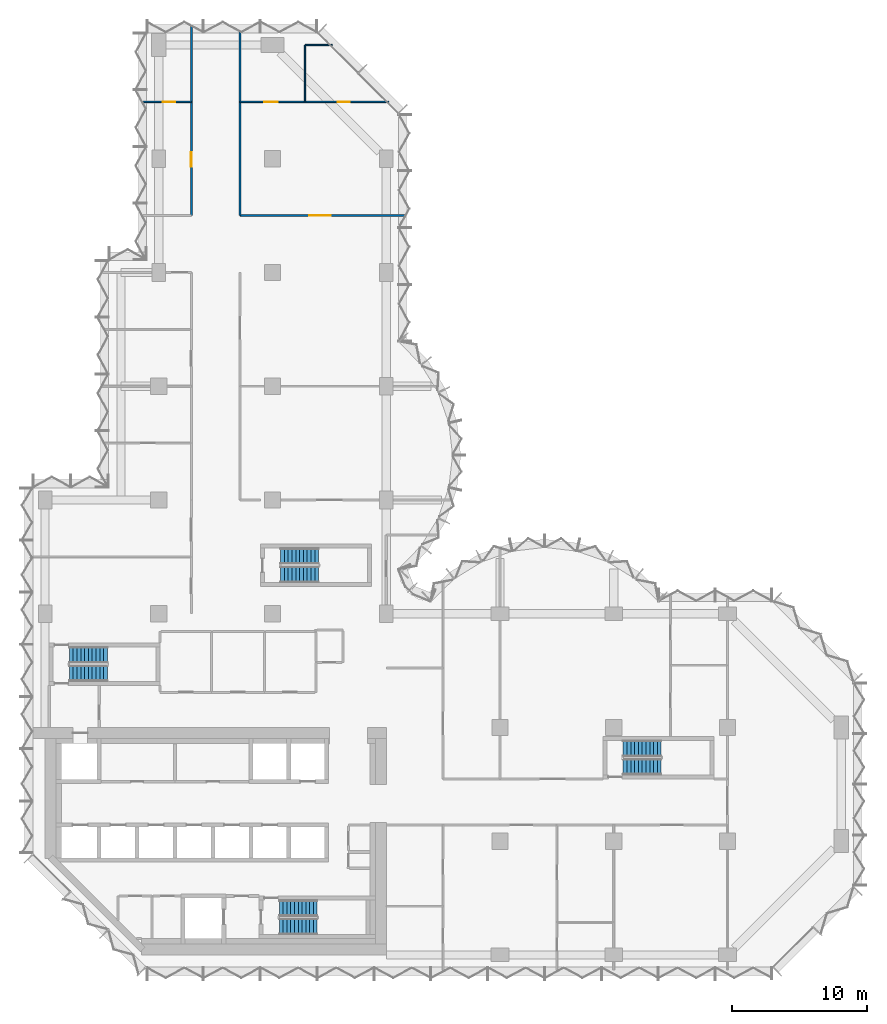
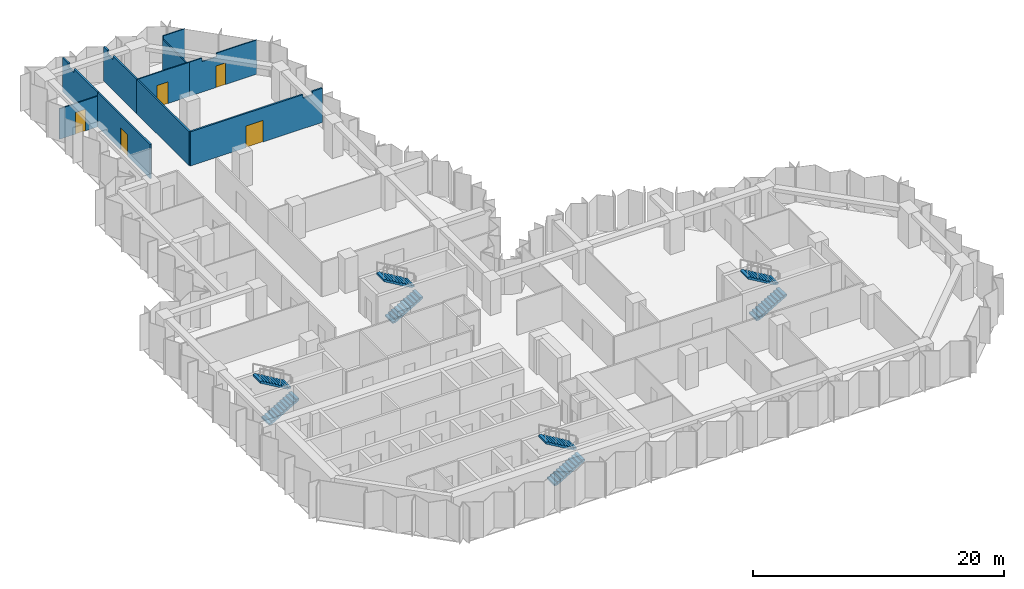
# One storey, part 9 of 11: 10 walls, 8 stair flights, 5 doors, 5 openings, 4 elements without a shape of their own.
"""IFC4 building model written with IfcOpenShell, lengths in metres."""

from ifc_helpers import new_model, si_unit, direction, frame, frame_2d, origin, place, context, subcontext, project, spatial, polyline, rectangle, outline, extrude, material, layer, layer_set, type_object, element, fill, aggregate, save


model = new_model("IFC4")

# Units and contexts
model_context = context("Model", 3, precision=1e-05, world=origin(), true_north=direction((0.0, 1.0)))
body_context = subcontext(model_context, "Body", "Model", "MODEL_VIEW")
ifc_project = project(units=[si_unit("LENGTHUNIT", "METRE"), si_unit("AREAUNIT", "SQUARE_METRE"), si_unit("VOLUMEUNIT", "CUBIC_METRE"), si_unit("PLANEANGLEUNIT", "RADIAN"), si_unit("MASSUNIT", "GRAM", prefix="KILO")], contexts=[model_context])

# Site, building, storey
site_placement = place(None, origin())
site = spatial("IfcSite", under=ifc_project, at=site_placement, CompositionType="ELEMENT")
building_placement = place(site_placement, origin())
building = spatial("IfcBuilding", under=site, at=building_placement, Name="Brevane Broadcast Tower", CompositionType="ELEMENT")
storey_placement = place(building_placement, frame((0.0, 0.0, 142.10009765625)))
storey = spatial("IfcBuildingStorey", under=building, at=storey_placement, Name="L35", CompositionType="ELEMENT", Elevation=142.10009765625)

# Wall, opening, door
ifc_material_1 = material(Name="Gypsum board partition")
ifc_layer_1 = layer(ifc_material_1, 0.10009765625)
ifc_layer_set_1 = layer_set([ifc_layer_1], Name="PARTITION 100 STUD")
wall_type_1 = type_object("IfcWallType", Name="PARTITION 100 STUD", PredefinedType="PARTITIONING", material=ifc_layer_set_1)
wall_1_placement = place(storey_placement, frame((7.22607421875, 63.0, 0.0), z_axis=(0.0, 0.0, 1.0), x_axis=(1.0, 0.0, 0.0)))
wall_1 = element("IfcWall", 1, at=wall_1_placement, inside=storey, type_object=wall_type_1, Name="Partition G10-060", PredefinedType="PARTITIONING", context=body_context, shape_type="SweptSolid", body=[
    extrude(rectangle(XDim=3.573974609375, YDim=0.10009765625, at=frame_2d((1.787109375, 0.0))), origin(), (0.0, 0.0, 1.0), 2.97998046875),
])
opening_1_placement = place(wall_1_placement, frame((1.47412109375, 0.0, 0.0)))
opening_1 = element("IfcOpeningElement", 2, at=opening_1_placement, cuts=wall_1, Name="Opening D17-019", PredefinedType="OPENING", context=body_context, shape_type="SweptSolid", body=[
    extrude(rectangle(XDim=0.89990234375, YDim=2.10009765625, at=frame_2d((0.449951171875, 1.050048828125))), frame((0.0, 0.06005859375, 0.0), z_axis=(0.0, -1.0, 0.0), x_axis=(1.0, 0.0, 0.0)), (0.0, 0.0, 1.0), 0.1201171875),
])
ifc_material_2 = material(Name="Timber door leaf", Category="wood")
door_type_1 = type_object("IfcDoorType", Name="DOOR SINGLE 900 INTERNAL", OperationType="SINGLE_SWING_LEFT", PredefinedType="DOOR", material=ifc_material_2)
door_1_placement = place(opening_1_placement, origin())
door_1 = element("IfcDoor", 3, at=door_1_placement, inside=storey, type_object=door_type_1, Name="Door D17-019", OperationType="SINGLE_SWING_LEFT", OverallHeight=2.10009765625, OverallWidth=0.89990234375, PredefinedType="DOOR", context=body_context, shape_type="SweptSolid", body=[
    extrude(rectangle(XDim=0.89990234375, YDim=2.10009765625, at=frame_2d((0.449951171875, 1.050048828125))), frame((0.0, 0.02490234375, 0.0), z_axis=(0.0, -1.0, 0.0), x_axis=(1.0, 0.0, 0.0)), (0.0, 0.0, 1.0), 0.050048828125),
])
fill(opening_1, door_1)

wall_2_placement = place(storey_placement, frame((14.39990234375, 63.0, 0.0), z_axis=(0.0, 0.0, 1.0), x_axis=(1.0, 0.0, 0.0)))
wall_2 = element("IfcWall", 4, at=wall_2_placement, inside=storey, type_object=wall_type_1, Name="Partition G10-065", PredefinedType="PARTITIONING", context=body_context, shape_type="SweptSolid", body=[
    extrude(rectangle(XDim=4.800048828125, YDim=0.10009765625, at=frame_2d((2.39990234375, 0.0))), origin(), (0.0, 0.0, 1.0), 3.329833984375),
])
opening_2_placement = place(wall_2_placement, frame((1.800048828125, 0.0, 0.0)))
opening_2 = element("IfcOpeningElement", 5, at=opening_2_placement, cuts=wall_2, Name="Opening D17-023", PredefinedType="OPENING", context=body_context, shape_type="SweptSolid", body=[
    extrude(rectangle(XDim=1.0, YDim=2.10009765625, at=frame_2d((0.5, 1.050048828125))), frame((0.0, 0.06005859375, 0.0), z_axis=(0.0, -1.0, 0.0), x_axis=(1.0, 0.0, 0.0)), (0.0, 0.0, 1.0), 0.1201171875),
])
door_type_2 = type_object("IfcDoorType", Name="DOOR SINGLE 1000 INTERNAL", OperationType="SINGLE_SWING_LEFT", PredefinedType="DOOR", material=ifc_material_2)
door_2_placement = place(opening_2_placement, origin())
door_2 = element("IfcDoor", 6, at=door_2_placement, inside=storey, type_object=door_type_2, Name="Door D17-023", OperationType="SINGLE_SWING_LEFT", OverallHeight=2.10009765625, OverallWidth=1.0, PredefinedType="DOOR", context=body_context, shape_type="SweptSolid", body=[
    extrude(rectangle(XDim=1.0, YDim=2.10009765625, at=frame_2d((0.5, 1.050048828125))), frame((0.0, 0.02490234375, 0.0), z_axis=(0.0, -1.0, 0.0), x_axis=(1.0, 0.0, 0.0)), (0.0, 0.0, 1.0), 0.050048828125),
])
fill(opening_2, door_2)

wall_3_placement = place(storey_placement, frame((19.199951171875, 63.0, 0.0), z_axis=(0.0, 0.0, 1.0), x_axis=(1.0, 0.0, 0.0)))
wall_3 = element("IfcWall", 7, at=wall_3_placement, inside=storey, type_object=wall_type_1, Name="Partition G10-066", PredefinedType="PARTITIONING", context=body_context, shape_type="SweptSolid", body=[
    extrude(outline(polyline([(0.0, 0.0), (6.199951171875, 0.0), (6.199951171875, 3.329833984375), (2.465576171875, 3.329833984375), (2.463623046875, 2.97998046875), (1.13623046875, 2.97998046875), (1.13427734375, 3.329833984375), (0.0, 3.329833984375), (0.0, 0.0)])), frame((0.0, 0.050048828125, 0.0), z_axis=(0.0, -1.0, 0.0), x_axis=(1.0, 0.0, 0.0)), (0.0, 0.0, 1.0), 0.10009765625),
])
opening_3_placement = place(wall_3_placement, frame((2.39990234375, 0.0, 0.0)))
opening_3 = element("IfcOpeningElement", 8, at=opening_3_placement, cuts=wall_3, Name="Opening D17-024", PredefinedType="OPENING", context=body_context, shape_type="SweptSolid", body=[
    extrude(rectangle(XDim=0.89990234375, YDim=2.10009765625, at=frame_2d((0.449951171875, 1.050048828125))), frame((0.0, 0.06005859375, 0.0), z_axis=(0.0, -1.0, 0.0), x_axis=(1.0, 0.0, 0.0)), (0.0, 0.0, 1.0), 0.1201171875),
])
door_3_placement = place(opening_3_placement, origin())
door_3 = element("IfcDoor", 9, at=door_3_placement, inside=storey, type_object=door_type_1, Name="Door D17-024", OperationType="SINGLE_SWING_LEFT", OverallHeight=2.10009765625, OverallWidth=0.89990234375, PredefinedType="DOOR", context=body_context, shape_type="SweptSolid", body=[
    extrude(rectangle(XDim=0.89990234375, YDim=2.10009765625, at=frame_2d((0.449951171875, 1.050048828125))), frame((0.0, 0.02490234375, 0.0), z_axis=(0.0, -1.0, 0.0), x_axis=(1.0, 0.0, 0.0)), (0.0, 0.0, 1.0), 0.050048828125),
])
fill(opening_3, door_3)

# Walls
wall_4_placement = place(storey_placement, frame((21.199951171875, 67.199951171875, 0.0), z_axis=(0.0, 0.0, 1.0), x_axis=(-1.0, 0.0, 0.0)))
element("IfcWall", 10, at=wall_4_placement, inside=storey, type_object=wall_type_1, Name="Partition G10-067", PredefinedType="PARTITIONING", context=body_context, shape_type="SweptSolid", body=[
    extrude(rectangle(XDim=2.0, YDim=0.10009765625, at=frame_2d((1.0, 0.0))), origin(), (0.0, 0.0, 1.0), 3.329833984375),
])
wall_5_placement = place(storey_placement, frame((19.199951171875, 67.199951171875, 0.0), z_axis=(0.0, 0.0, 1.0), x_axis=(0.0, -1.0, 0.0)))
element("IfcWall", 11, at=wall_5_placement, inside=storey, type_object=wall_type_1, Name="Partition G10-068", PredefinedType="PARTITIONING", context=body_context, shape_type="SweptSolid", body=[
    extrude(rectangle(XDim=4.199951171875, YDim=0.10009765625, at=frame_2d((2.10009765625, 0.0))), origin(), (0.0, 0.0, 1.0), 2.97998046875),
])

# Wall, opening, door
ifc_layer_2 = layer(ifc_material_1, 0.14990234375)
ifc_layer_set_2 = layer_set([ifc_layer_2], Name="PARTITION 150 EI 60")
wall_type_2 = type_object("IfcWallType", Name="PARTITION 150 EI 60", PredefinedType="PARTITIONING", material=ifc_layer_set_2)
wall_6_placement = place(storey_placement, frame((10.800048828125, 54.60009765625, 0.0), z_axis=(0.0, 0.0, 1.0), x_axis=(0.0, 1.0, 0.0)))
wall_6 = element("IfcWall", 12, at=wall_6_placement, inside=storey, type_object=wall_type_2, Name="Partition G10-046", PredefinedType="PARTITIONING", context=body_context, shape_type="SweptSolid", body=[
    extrude(rectangle(XDim=8.39990234375, YDim=0.14990234375, at=frame_2d((4.199951171875, 0.0))), origin(), (0.0, 0.0, 1.0), 3.329833984375),
])
opening_4_placement = place(wall_6_placement, frame((3.60009765625, 0.0, 0.0)))
opening_4 = element("IfcOpeningElement", 13, at=opening_4_placement, cuts=wall_6, Name="Opening D17-018", PredefinedType="OPENING", context=body_context, shape_type="SweptSolid", body=[
    extrude(rectangle(XDim=1.10009765625, YDim=2.10009765625, at=frame_2d((0.550048828125, 1.050048828125))), frame((0.0, 0.0849609375, 0.0), z_axis=(0.0, -1.0, 0.0), x_axis=(1.0, 0.0, 0.0)), (0.0, 0.0, 1.0), 0.169921875),
])
ifc_material_3 = material(Name="Fire-rated timber door leaf", Category="wood")
door_type_3 = type_object("IfcDoorType", Name="DOOR SINGLE 1100 FD30S", OperationType="SINGLE_SWING_LEFT", PredefinedType="DOOR", material=ifc_material_3)
door_4_placement = place(opening_4_placement, origin())
door_4 = element("IfcDoor", 14, at=door_4_placement, inside=storey, type_object=door_type_3, Name="Door D17-018", OperationType="SINGLE_SWING_LEFT", OverallHeight=2.10009765625, OverallWidth=1.10009765625, PredefinedType="DOOR", context=body_context, shape_type="SweptSolid", body=[
    extrude(rectangle(XDim=1.10009765625, YDim=2.10009765625, at=frame_2d((0.550048828125, 1.050048828125))), frame((0.0, 0.02490234375, 0.0), z_axis=(0.0, -1.0, 0.0), x_axis=(1.0, 0.0, 0.0)), (0.0, 0.0, 1.0), 0.050048828125),
])
fill(opening_4, door_4)

# Walls
wall_7_placement = place(storey_placement, frame((10.800048828125, 63.0, 0.0), z_axis=(0.0, 0.0, 1.0), x_axis=(0.0, 1.0, 0.0)))
element("IfcWall", 15, at=wall_7_placement, inside=storey, type_object=wall_type_2, Name="Partition G10-047", PredefinedType="PARTITIONING", context=body_context, shape_type="SweptSolid", body=[
    extrude(outline(polyline([(0.0, 0.0), (5.56494140625, 0.0), (5.56494140625, 3.329833984375), (5.280029296875, 3.329833984375), (4.64990234375, 3.329833984375), (4.64794921875, 2.97998046875), (3.751953125, 2.97998046875), (3.75, 3.329833984375), (0.0, 3.329833984375), (0.0, 0.0)])), frame((0.0, 0.074951171875, 0.0), z_axis=(0.0, -1.0, 0.0), x_axis=(1.0, 0.0, 0.0)), (0.0, 0.0, 1.0), 0.14990234375),
])
wall_8_placement = place(storey_placement, frame((14.39990234375, 63.0, 0.0), z_axis=(0.0, 0.0, 1.0), x_axis=(0.0, -1.0, 0.0)))
element("IfcWall", 16, at=wall_8_placement, inside=storey, type_object=wall_type_2, Name="Partition G10-050", PredefinedType="PARTITIONING", context=body_context, shape_type="SweptSolid", body=[
    extrude(rectangle(XDim=8.39990234375, YDim=0.14990234375, at=frame_2d((4.199951171875, 0.0))), origin(), (0.0, 0.0, 1.0), 3.329833984375),
])
wall_9_placement = place(storey_placement, frame((14.39990234375, 68.280029296875, 0.0), z_axis=(0.0, 0.0, 1.0), x_axis=(0.0, -1.0, 0.0)))
element("IfcWall", 17, at=wall_9_placement, inside=storey, type_object=wall_type_2, Name="Partition G10-051", PredefinedType="PARTITIONING", context=body_context, shape_type="SweptSolid", body=[
    extrude(outline(polyline([(0.0, 0.0), (5.280029296875, 0.0), (5.280029296875, 3.329833984375), (1.530029296875, 3.329833984375), (1.528076171875, 2.97998046875), (0.632080078125, 2.97998046875), (0.6298828125, 3.329833984375), (0.0, 3.329833984375), (0.0, 0.0)])), frame((0.0, 0.074951171875, 0.0), z_axis=(0.0, -1.0, 0.0), x_axis=(1.0, 0.0, 0.0)), (0.0, 0.0, 1.0), 0.14990234375),
])

# Wall, opening, door
wall_10_placement = place(storey_placement, frame((14.39990234375, 54.60009765625, 0.0), z_axis=(0.0, 0.0, 1.0), x_axis=(1.0, 0.0, 0.0)))
wall_10 = element("IfcWall", 18, at=wall_10_placement, inside=storey, type_object=wall_type_2, Name="Partition G10-061", PredefinedType="PARTITIONING", context=body_context, shape_type="SweptSolid", body=[
    extrude(outline(polyline([(0.0, 0.0), (12.1650390625, 0.0), (12.1650390625, 3.329833984375), (11.89990234375, 3.329833984375), (11.25, 3.329833984375), (11.248046875, 2.97998046875), (10.35205078125, 2.97998046875), (10.35009765625, 3.329833984375), (0.0, 3.329833984375), (0.0, 0.0)])), frame((0.0, 0.074951171875, 0.0), z_axis=(0.0, -1.0, 0.0), x_axis=(1.0, 0.0, 0.0)), (0.0, 0.0, 1.0), 0.14990234375),
])
opening_5_placement = place(wall_10_placement, frame((5.10009765625, 0.0, 0.0)))
opening_5 = element("IfcOpeningElement", 19, at=opening_5_placement, cuts=wall_10, Name="Opening D17-022", PredefinedType="OPENING", context=body_context, shape_type="SweptSolid", body=[
    extrude(rectangle(XDim=1.60009765625, YDim=2.10009765625, at=frame_2d((0.800048828125, 1.050048828125))), frame((0.0, 0.0849609375, 0.0), z_axis=(0.0, -1.0, 0.0), x_axis=(1.0, 0.0, 0.0)), (0.0, 0.0, 1.0), 0.169921875),
])
door_type_4 = type_object("IfcDoorType", Name="DOOR DOUBLE 1600 FD30S", OperationType="DOUBLE_DOOR_SINGLE_SWING", PredefinedType="DOOR", material=ifc_material_3)
door_5_placement = place(opening_5_placement, origin())
door_5 = element("IfcDoor", 20, at=door_5_placement, inside=storey, type_object=door_type_4, Name="Door D17-022", OperationType="DOUBLE_DOOR_SINGLE_SWING", OverallHeight=2.10009765625, OverallWidth=1.60009765625, PredefinedType="DOOR", context=body_context, shape_type="SweptSolid", body=[
    extrude(rectangle(XDim=1.60009765625, YDim=2.10009765625, at=frame_2d((0.800048828125, 1.050048828125))), frame((0.0, 0.02490234375, 0.0), z_axis=(0.0, -1.0, 0.0), x_axis=(1.0, 0.0, 0.0)), (0.0, 0.0, 1.0), 0.050048828125),
])
fill(opening_5, door_5)

# Stair, stair flights
ifc_material_4 = material(Name="Concrete C50/60", Category="concrete")
stair_type = type_object("IfcStairType", Name="Exit stair 22 risers", PredefinedType="HALF_TURN_STAIR", material=ifc_material_4)
stair_1_placement = place(storey_placement, origin())
stair_1 = element("IfcStair", 21, at=stair_1_placement, inside=storey, type_object=stair_type, Name="L35 Exit stair ST-1", PredefinedType="HALF_TURN_STAIR")
stair_flight_type = type_object("IfcStairFlightType", Name="Exit stair flight 22 risers", PredefinedType="STRAIGHT", material=ifc_material_4)
stair_flight_1_placement = place(storey_placement, frame((1.800048828125, 20.800048828125, 0.0), z_axis=(0.0, 0.0, 1.0), x_axis=(1.0, 0.0, 0.0)))
stair_flight_1 = element("IfcStairFlight", 22, at=stair_flight_1_placement, type_object=stair_flight_type, Name="ST-1 flight 1", NumberOfRisers=11, NumberOfTreads=10, PredefinedType="STRAIGHT", RiserHeight=0.163636364, TreadLength=0.28, context=body_context, shape_type="SweptSolid", body=[
    extrude(outline(polyline([(0.0, 0.0), (0.0, 0.16357421875), (0.280029296875, 0.16357421875), (0.280029296875, 0.327392578125), (0.56005859375, 0.327392578125), (0.56005859375, 0.490966796875), (0.840087890625, 0.490966796875), (0.840087890625, 0.654541015625), (1.1201171875, 0.654541015625), (1.1201171875, 0.818115234375), (1.39990234375, 0.818115234375), (1.39990234375, 0.98193359375), (1.679931640625, 0.98193359375), (1.679931640625, 1.1455078125), (1.9599609375, 1.1455078125), (1.9599609375, 1.30908203125), (2.239990234375, 1.30908203125), (2.239990234375, 1.47265625), (2.52001953125, 1.47265625), (2.52001953125, 1.636474609375), (2.800048828125, 1.636474609375), (2.800048828125, 1.800048828125), (2.800048828125, 1.462646484375), (0.297119140625, 0.0), (0.0, 0.0)])), frame((0.0, 0.60009765625, 0.0), z_axis=(0.0, -1.0, 0.0), x_axis=(1.0, 0.0, 0.0)), (0.0, 0.0, 1.0), 1.199951171875),
])
stair_flight_2_placement = place(storey_placement, frame((4.60009765625, 22.14990234375, 1.7998046875), z_axis=(0.0, 0.0, 1.0), x_axis=(-1.0, 0.0, 0.0)))
stair_flight_2 = element("IfcStairFlight", 23, at=stair_flight_2_placement, type_object=stair_flight_type, Name="ST-1 flight 2", NumberOfRisers=11, NumberOfTreads=10, PredefinedType="STRAIGHT", RiserHeight=0.163636364, TreadLength=0.28, context=body_context, shape_type="SweptSolid", body=[
    extrude(outline(polyline([(0.0, 0.0), (0.0, 0.16357421875), (0.280029296875, 0.16357421875), (0.280029296875, 0.327392578125), (0.56005859375, 0.327392578125), (0.56005859375, 0.490966796875), (0.840087890625, 0.490966796875), (0.840087890625, 0.654541015625), (1.1201171875, 0.654541015625), (1.1201171875, 0.818115234375), (1.39990234375, 0.818115234375), (1.39990234375, 0.98193359375), (1.679931640625, 0.98193359375), (1.679931640625, 1.1455078125), (1.9599609375, 1.1455078125), (1.9599609375, 1.30908203125), (2.239990234375, 1.30908203125), (2.239990234375, 1.47265625), (2.52001953125, 1.47265625), (2.52001953125, 1.636474609375), (2.800048828125, 1.636474609375), (2.800048828125, 1.800048828125), (2.800048828125, 1.462646484375), (0.297119140625, 0.0), (0.0, 0.0)])), frame((0.0, 0.60009765625, 0.0), z_axis=(0.0, -1.0, 0.0), x_axis=(1.0, 0.0, 0.0)), (0.0, 0.0, 1.0), 1.199951171875),
])
aggregate(stair_1, [stair_flight_1, stair_flight_2])

stair_2_placement = place(storey_placement, origin())
stair_2 = element("IfcStair", 24, at=stair_2_placement, inside=storey, type_object=stair_type, Name="L35 Exit stair ST-2", PredefinedType="HALF_TURN_STAIR")
stair_flight_3_placement = place(storey_placement, frame((17.300048828125, 2.10009765625, 0.0), z_axis=(0.0, 0.0, 1.0), x_axis=(1.0, 0.0, 0.0)))
stair_flight_3 = element("IfcStairFlight", 25, at=stair_flight_3_placement, type_object=stair_flight_type, Name="ST-2 flight 1", NumberOfRisers=11, NumberOfTreads=10, PredefinedType="STRAIGHT", RiserHeight=0.163636364, TreadLength=0.28, context=body_context, shape_type="SweptSolid", body=[
    extrude(outline(polyline([(0.0, 0.0), (0.0, 0.16357421875), (0.280029296875, 0.16357421875), (0.280029296875, 0.327392578125), (0.56005859375, 0.327392578125), (0.56005859375, 0.490966796875), (0.840087890625, 0.490966796875), (0.840087890625, 0.654541015625), (1.1201171875, 0.654541015625), (1.1201171875, 0.818115234375), (1.39990234375, 0.818115234375), (1.39990234375, 0.98193359375), (1.679931640625, 0.98193359375), (1.679931640625, 1.1455078125), (1.9599609375, 1.1455078125), (1.9599609375, 1.30908203125), (2.239990234375, 1.30908203125), (2.239990234375, 1.47265625), (2.52001953125, 1.47265625), (2.52001953125, 1.636474609375), (2.800048828125, 1.636474609375), (2.800048828125, 1.800048828125), (2.800048828125, 1.462646484375), (0.297119140625, 0.0), (0.0, 0.0)])), frame((0.0, 0.60009765625, 0.0), z_axis=(0.0, -1.0, 0.0), x_axis=(1.0, 0.0, 0.0)), (0.0, 0.0, 1.0), 1.199951171875),
])
stair_flight_4_placement = place(storey_placement, frame((20.10009765625, 3.449951171875, 1.7998046875), z_axis=(0.0, 0.0, 1.0), x_axis=(-1.0, 0.0, 0.0)))
stair_flight_4 = element("IfcStairFlight", 26, at=stair_flight_4_placement, type_object=stair_flight_type, Name="ST-2 flight 2", NumberOfRisers=11, NumberOfTreads=10, PredefinedType="STRAIGHT", RiserHeight=0.163636364, TreadLength=0.28, context=body_context, shape_type="SweptSolid", body=[
    extrude(outline(polyline([(0.0, 0.0), (0.0, 0.16357421875), (0.280029296875, 0.16357421875), (0.280029296875, 0.327392578125), (0.56005859375, 0.327392578125), (0.56005859375, 0.490966796875), (0.840087890625, 0.490966796875), (0.840087890625, 0.654541015625), (1.1201171875, 0.654541015625), (1.1201171875, 0.818115234375), (1.39990234375, 0.818115234375), (1.39990234375, 0.98193359375), (1.679931640625, 0.98193359375), (1.679931640625, 1.1455078125), (1.9599609375, 1.1455078125), (1.9599609375, 1.30908203125), (2.239990234375, 1.30908203125), (2.239990234375, 1.47265625), (2.52001953125, 1.47265625), (2.52001953125, 1.636474609375), (2.800048828125, 1.636474609375), (2.800048828125, 1.800048828125), (2.800048828125, 1.462646484375), (0.297119140625, 0.0), (0.0, 0.0)])), frame((0.0, 0.60009765625, 0.0), z_axis=(0.0, -1.0, 0.0), x_axis=(1.0, 0.0, 0.0)), (0.0, 0.0, 1.0), 1.199951171875),
])
aggregate(stair_2, [stair_flight_3, stair_flight_4])

stair_3_placement = place(storey_placement, origin())
stair_3 = element("IfcStair", 27, at=stair_3_placement, inside=storey, type_object=stair_type, Name="L35 Exit stair ST-3", PredefinedType="HALF_TURN_STAIR")
stair_flight_5_placement = place(storey_placement, frame((17.39990234375, 28.10009765625, 0.0), z_axis=(0.0, 0.0, 1.0), x_axis=(1.0, 0.0, 0.0)))
stair_flight_5 = element("IfcStairFlight", 28, at=stair_flight_5_placement, type_object=stair_flight_type, Name="ST-3 flight 1", NumberOfRisers=11, NumberOfTreads=10, PredefinedType="STRAIGHT", RiserHeight=0.163636364, TreadLength=0.28, context=body_context, shape_type="SweptSolid", body=[
    extrude(outline(polyline([(0.0, 0.0), (0.0, 0.16357421875), (0.280029296875, 0.16357421875), (0.280029296875, 0.327392578125), (0.56005859375, 0.327392578125), (0.56005859375, 0.490966796875), (0.840087890625, 0.490966796875), (0.840087890625, 0.654541015625), (1.1201171875, 0.654541015625), (1.1201171875, 0.818115234375), (1.39990234375, 0.818115234375), (1.39990234375, 0.98193359375), (1.679931640625, 0.98193359375), (1.679931640625, 1.1455078125), (1.9599609375, 1.1455078125), (1.9599609375, 1.30908203125), (2.239990234375, 1.30908203125), (2.239990234375, 1.47265625), (2.52001953125, 1.47265625), (2.52001953125, 1.636474609375), (2.800048828125, 1.636474609375), (2.800048828125, 1.800048828125), (2.800048828125, 1.462646484375), (0.297119140625, 0.0), (0.0, 0.0)])), frame((0.0, 0.60009765625, 0.0), z_axis=(0.0, -1.0, 0.0), x_axis=(1.0, 0.0, 0.0)), (0.0, 0.0, 1.0), 1.199951171875),
])
stair_flight_6_placement = place(storey_placement, frame((20.199951171875, 29.449951171875, 1.7998046875), z_axis=(0.0, 0.0, 1.0), x_axis=(-1.0, 0.0, 0.0)))
stair_flight_6 = element("IfcStairFlight", 29, at=stair_flight_6_placement, type_object=stair_flight_type, Name="ST-3 flight 2", NumberOfRisers=11, NumberOfTreads=10, PredefinedType="STRAIGHT", RiserHeight=0.163636364, TreadLength=0.28, context=body_context, shape_type="SweptSolid", body=[
    extrude(outline(polyline([(0.0, 0.0), (0.0, 0.16357421875), (0.280029296875, 0.16357421875), (0.280029296875, 0.327392578125), (0.56005859375, 0.327392578125), (0.56005859375, 0.490966796875), (0.840087890625, 0.490966796875), (0.840087890625, 0.654541015625), (1.1201171875, 0.654541015625), (1.1201171875, 0.818115234375), (1.39990234375, 0.818115234375), (1.39990234375, 0.98193359375), (1.679931640625, 0.98193359375), (1.679931640625, 1.1455078125), (1.9599609375, 1.1455078125), (1.9599609375, 1.30908203125), (2.239990234375, 1.30908203125), (2.239990234375, 1.47265625), (2.52001953125, 1.47265625), (2.52001953125, 1.636474609375), (2.800048828125, 1.636474609375), (2.800048828125, 1.800048828125), (2.800048828125, 1.462646484375), (0.297119140625, 0.0), (0.0, 0.0)])), frame((0.0, 0.60009765625, 0.0), z_axis=(0.0, -1.0, 0.0), x_axis=(1.0, 0.0, 0.0)), (0.0, 0.0, 1.0), 1.199951171875),
])
aggregate(stair_3, [stair_flight_5, stair_flight_6])

stair_4_placement = place(storey_placement, origin())
stair_4 = element("IfcStair", 30, at=stair_4_placement, inside=storey, type_object=stair_type, Name="L35 Exit stair ST-4", PredefinedType="HALF_TURN_STAIR")
stair_flight_7_placement = place(storey_placement, frame((42.699951171875, 13.89990234375, 0.0), z_axis=(0.0, 0.0, 1.0), x_axis=(1.0, 0.0, 0.0)))
stair_flight_7 = element("IfcStairFlight", 31, at=stair_flight_7_placement, type_object=stair_flight_type, Name="ST-4 flight 1", NumberOfRisers=11, NumberOfTreads=10, PredefinedType="STRAIGHT", RiserHeight=0.163636364, TreadLength=0.28, context=body_context, shape_type="SweptSolid", body=[
    extrude(outline(polyline([(0.0, 0.0), (0.0, 0.16357421875), (0.280029296875, 0.16357421875), (0.280029296875, 0.327392578125), (0.56005859375, 0.327392578125), (0.56005859375, 0.490966796875), (0.840087890625, 0.490966796875), (0.840087890625, 0.654541015625), (1.1201171875, 0.654541015625), (1.1201171875, 0.818115234375), (1.39990234375, 0.818115234375), (1.39990234375, 0.98193359375), (1.679931640625, 0.98193359375), (1.679931640625, 1.1455078125), (1.9599609375, 1.1455078125), (1.9599609375, 1.30908203125), (2.239990234375, 1.30908203125), (2.239990234375, 1.47265625), (2.52001953125, 1.47265625), (2.52001953125, 1.636474609375), (2.800048828125, 1.636474609375), (2.800048828125, 1.800048828125), (2.800048828125, 1.462646484375), (0.297119140625, 0.0), (0.0, 0.0)])), frame((0.0, 0.60009765625, 0.0), z_axis=(0.0, -1.0, 0.0), x_axis=(1.0, 0.0, 0.0)), (0.0, 0.0, 1.0), 1.199951171875),
])
stair_flight_8_placement = place(storey_placement, frame((45.5, 15.25, 1.7998046875), z_axis=(0.0, 0.0, 1.0), x_axis=(-1.0, 0.0, 0.0)))
stair_flight_8 = element("IfcStairFlight", 32, at=stair_flight_8_placement, type_object=stair_flight_type, Name="ST-4 flight 2", NumberOfRisers=11, NumberOfTreads=10, PredefinedType="STRAIGHT", RiserHeight=0.163636364, TreadLength=0.28, context=body_context, shape_type="SweptSolid", body=[
    extrude(outline(polyline([(0.0, 0.0), (0.0, 0.16357421875), (0.280029296875, 0.16357421875), (0.280029296875, 0.327392578125), (0.56005859375, 0.327392578125), (0.56005859375, 0.490966796875), (0.840087890625, 0.490966796875), (0.840087890625, 0.654541015625), (1.1201171875, 0.654541015625), (1.1201171875, 0.818115234375), (1.39990234375, 0.818115234375), (1.39990234375, 0.98193359375), (1.679931640625, 0.98193359375), (1.679931640625, 1.1455078125), (1.9599609375, 1.1455078125), (1.9599609375, 1.30908203125), (2.239990234375, 1.30908203125), (2.239990234375, 1.47265625), (2.52001953125, 1.47265625), (2.52001953125, 1.636474609375), (2.800048828125, 1.636474609375), (2.800048828125, 1.800048828125), (2.800048828125, 1.462646484375), (0.297119140625, 0.0), (0.0, 0.0)])), frame((0.0, 0.60009765625, 0.0), z_axis=(0.0, -1.0, 0.0), x_axis=(1.0, 0.0, 0.0)), (0.0, 0.0, 1.0), 1.199951171875),
])
aggregate(stair_4, [stair_flight_7, stair_flight_8])

save(model, "model.ifc")
